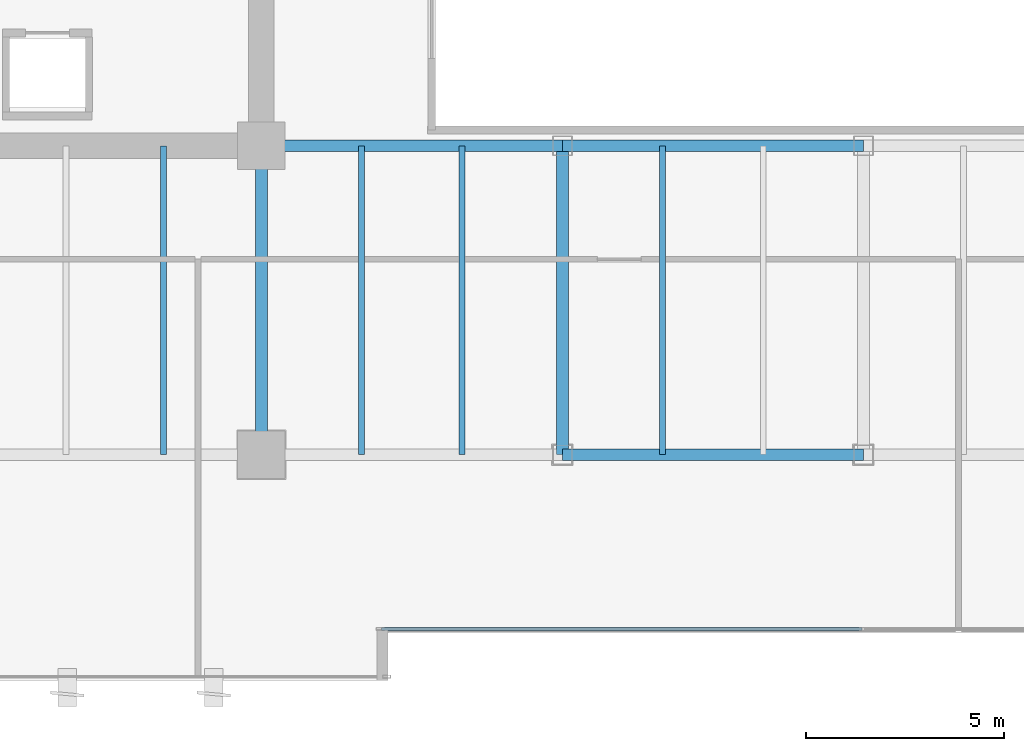
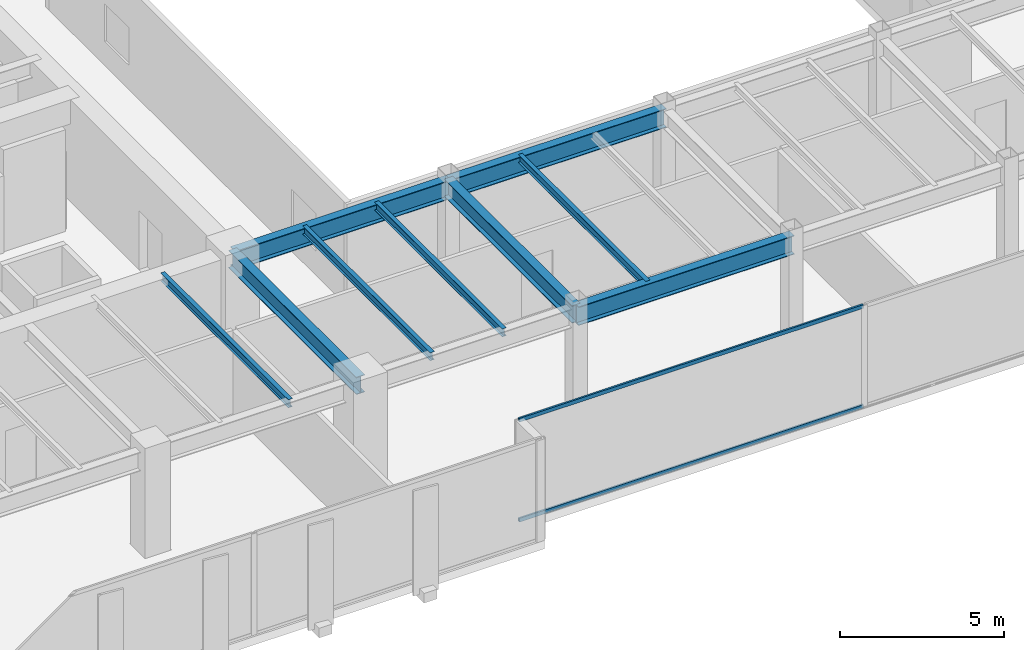
# One storey, part 5 of 34: 9 beams, 2 members, 1 element without a shape of its own.
"""IFC4 building model written with IfcOpenShell, lengths in metres."""

from ifc_helpers import new_model, si_unit, direction, frame, origin, origin_2d, place, context, subcontext, project, spatial, hollow_rectangle, i_section, extrude, source, transform, mapped, material, layer, layer_set, material_profile, profile_set, type_object, type_shapes, element, aggregate, save


model = new_model("IFC4")

# Units and contexts
model_context = context("Model", 3, precision=1e-05, world=origin(), true_north=direction((0.0, 1.0)))
body_context = subcontext(model_context, "Body", "Model", "MODEL_VIEW")
ifc_project = project(units=[si_unit("LENGTHUNIT", "METRE"), si_unit("AREAUNIT", "SQUARE_METRE"), si_unit("VOLUMEUNIT", "CUBIC_METRE"), si_unit("PLANEANGLEUNIT", "RADIAN"), si_unit("MASSUNIT", "GRAM", prefix="KILO")], contexts=[model_context])

# Site, building, storey
site_placement = place(None, origin())
site = spatial("IfcSite", under=ifc_project, at=site_placement, CompositionType="ELEMENT")
building_placement = place(site_placement, origin())
building = spatial("IfcBuilding", under=site, at=building_placement, Name="Haelvirn Gate Laboratories", CompositionType="ELEMENT")
storey_placement = place(building_placement, frame((0.0, 0.0, 109.199951171875)))
storey = spatial("IfcBuildingStorey", under=building, at=storey_placement, Name="L26", CompositionType="ELEMENT", Elevation=109.199951171875)

# Beams
ifc_material_1 = material(Name="Steel SM355", Category="steel")
ifc_material_profile_1 = material_profile(ifc_material_1, i_section(OverallWidth=0.300048828125, OverallDepth=0.64990234375, WebThickness=0.012939453125, FlangeThickness=0.02197265625, at=origin_2d()), Name="H-650x300x13x22")
ifc_profile_set_1 = profile_set([ifc_material_profile_1], Name="Steel SM355")
beam_type_1 = type_object("IfcBeamType", Name="BM-G-650", PredefinedType="BEAM", material=ifc_profile_set_1)
shared_shape_1 = source(origin(), body_context, "Body", "SweptSolid", [
    extrude(i_section(OverallWidth=0.300048828125, OverallDepth=0.64990234375, WebThickness=0.012939453125, FlangeThickness=0.02197265625, at=origin_2d()), origin(), (0.0, 0.0, 1.0), 7.800048828125),
])
type_shapes(beam_type_1, [shared_shape_1])
for number, where, z_axis, x_axis, name in (
    (1, (22.199951171875, 7.0, 3.465087890625), (0.0, 1.0, 0.0), (-1.0, 0.0, 0.0), "L26 Frame Girder X22.2 (7.0-14.8)"),
    (2, (29.800048828125, 7.0, 3.465087890625), (0.0, 1.0, 0.0), (-1.0, 0.0, 0.0), "L26 Frame Girder X29.8 (7.0-14.8)"),
):
    element("IfcBeam", number, at=place(storey_placement, frame(where, z_axis=z_axis, x_axis=x_axis)), inside=storey, type_object=beam_type_1, Name=name, PredefinedType="BEAM", context=body_context, shape_type="MappedRepresentation", body=[
        mapped(shared_shape_1, transform((0.0, 0.0, 0.0), scale=1.0)),
    ])
ifc_material_profile_2 = material_profile(ifc_material_1, i_section(OverallWidth=0.300048828125, OverallDepth=0.699951171875, WebThickness=0.012939453125, FlangeThickness=0.02392578125, at=origin_2d()), Name="H-700x300x13x24")
ifc_profile_set_2 = profile_set([ifc_material_profile_2], Name="Steel SM355")
beam_type_2 = type_object("IfcBeamType", Name="BM-G-700", PredefinedType="BEAM", material=ifc_profile_set_2)
shared_shape_2 = source(origin(), body_context, "Body", "SweptSolid", [
    extrude(i_section(OverallWidth=0.300048828125, OverallDepth=0.699951171875, WebThickness=0.012939453125, FlangeThickness=0.02392578125, at=origin_2d()), origin(), (0.0, 0.0, 1.0), 7.60009765625),
])
beam_placement = place(storey_placement, frame((22.199951171875, 14.800048828125, 3.43994140625), z_axis=(1.0, 0.0, 0.0), x_axis=(0.0, 1.0, 0.0)))
element("IfcBeam", 3, at=beam_placement, inside=storey, type_object=beam_type_2, Name="L26 Primary Girder Y14.8 (22.2-29.8)", PredefinedType="BEAM", context=body_context, shape_type="MappedRepresentation", body=[
    mapped(shared_shape_2, transform((0.0, 0.0, 0.0), scale=1.0)),
])
shared_shape_3 = source(origin(), body_context, "Body", "SweptSolid", [
    extrude(i_section(OverallWidth=0.300048828125, OverallDepth=0.699951171875, WebThickness=0.012939453125, FlangeThickness=0.02392578125, at=origin_2d()), origin(), (0.0, 0.0, 1.0), 7.599853515625),
])
type_shapes(beam_type_2, [shared_shape_2, shared_shape_3])
for number, where, z_axis, x_axis, name in (
    (4, (29.800048828125, 7.0, 3.43994140625), (1.0, 0.0, 0.0), (0.0, 1.0, 0.0), "L26 Primary Girder Y7.0 (29.8-37.4)"),
    (5, (29.800048828125, 14.800048828125, 3.43994140625), (1.0, 0.0, 0.0), (0.0, 1.0, 0.0), "L26 Primary Girder Y14.8 (29.8-37.4)"),
):
    element("IfcBeam", number, at=place(storey_placement, frame(where, z_axis=z_axis, x_axis=x_axis)), inside=storey, type_object=beam_type_2, Name=name, PredefinedType="BEAM", context=body_context, shape_type="MappedRepresentation", body=[
        mapped(shared_shape_3, transform((0.0, 0.0, 0.0), scale=1.0)),
    ])
ifc_material_profile_3 = material_profile(ifc_material_1, i_section(OverallWidth=0.14990234375, OverallDepth=0.300048828125, WebThickness=0.006591796875, FlangeThickness=0.009033203125, at=origin_2d()), Name="H-300x150x6.5x9")
ifc_profile_set_3 = profile_set([ifc_material_profile_3], Name="Steel SM355")
beam_type_3 = type_object("IfcBeamType", Name="BM-J-300", PredefinedType="JOIST", material=ifc_profile_set_3)
shared_shape_4 = source(origin(), body_context, "Body", "SweptSolid", [
    extrude(i_section(OverallWidth=0.14990234375, OverallDepth=0.300048828125, WebThickness=0.006591796875, FlangeThickness=0.009033203125, at=origin_2d()), origin(), (0.0, 0.0, 1.0), 7.800048828125),
])
type_shapes(beam_type_3, [shared_shape_4])
for number, where, z_axis, x_axis, name in (
    (6, (19.72998046875, 7.0, 3.64013671875), (0.0, 1.0, 0.0), (-1.0, 0.0, 0.0), "L26 Composite Lab Joist South X19.73"),
    (7, (24.72998046875, 7.0, 3.64013671875), (0.0, 1.0, 0.0), (-1.0, 0.0, 0.0), "L26 Composite Lab Joist South X24.73"),
    (8, (27.27001953125, 7.0, 3.64013671875), (0.0, 1.0, 0.0), (-1.0, 0.0, 0.0), "L26 Composite Lab Joist South X27.27"),
    (9, (32.330078125, 7.0, 3.64013671875), (0.0, 1.0, 0.0), (-1.0, 0.0, 0.0), "L26 Composite Lab Joist South X32.33"),
):
    element("IfcBeam", number, at=place(storey_placement, frame(where, z_axis=z_axis, x_axis=x_axis)), inside=storey, type_object=beam_type_3, Name=name, PredefinedType="JOIST", context=body_context, shape_type="MappedRepresentation", body=[
        mapped(shared_shape_4, transform((0.0, 0.0, 0.0), scale=1.0)),
    ])

# Curtain wall, members
ifc_material_2 = material(Name="Anodised bronze unitised aluminium & triple low-E glass", Category="aluminium")
ifc_layer = layer(ifc_material_2, 0.179931640625, Name="CW-SYS-3")
ifc_layer_set = layer_set([ifc_layer], Name="Anodised bronze unitised aluminium & triple low-E glass")
curtain_wall_type = type_object("IfcCurtainWallType", Name="CW-SYS-3", PredefinedType="NOTDEFINED", material=ifc_layer_set)
curtain_wall_placement = place(storey_placement, origin())
curtain_wall = element("IfcCurtainWall", 10, at=curtain_wall_placement, inside=storey, type_object=curtain_wall_type, Name="L26 Unitised Curtain Wall CW-L26-P0-E02-1", PredefinedType="NOTDEFINED")
ifc_material_3 = material(Name="Extruded aluminium 6063-T6 (anodised bronze)", Category="aluminium")
ifc_material_profile_4 = material_profile(ifc_material_3, hollow_rectangle(XDim=0.06494140625, YDim=0.139892578125, WallThickness=0.00390625, at=origin_2d()), Name="CWT-140x65x4")
ifc_profile_set_4 = profile_set([ifc_material_profile_4], Name="Extruded aluminium 6063-T6 (anodised bronze)")
member_type = type_object("IfcMemberType", Name="CWT-T140", PredefinedType="USERDEFINED", material=ifc_profile_set_4)
shared_shape_5 = source(origin(), body_context, "Body", "SweptSolid", [
    extrude(hollow_rectangle(XDim=0.06494140625, YDim=0.139892578125, WallThickness=0.00390625, at=origin_2d()), origin(), (0.0, 0.0, 1.0), 12.12744140625),
])
type_shapes(member_type, [shared_shape_5])
member_1_placement = place(storey_placement, frame((25.235107421875, 2.60009765625, 0.032470703125), z_axis=(1.0, 0.0, 0.0), x_axis=(0.0, 1.0, 0.0)))
member_1 = element("IfcMember", 11, at=member_1_placement, type_object=member_type, Name="CW3 transom 1.1", ObjectType="TRANSOM", PredefinedType="USERDEFINED", context=body_context, shape_type="MappedRepresentation", body=[
    mapped(shared_shape_5, transform((0.0, 0.0, 0.0), scale=1.0)),
])
member_2_placement = place(storey_placement, frame((25.235107421875, 2.60009765625, 3.757568359375), z_axis=(1.0, 0.0, 0.0), x_axis=(0.0, 1.0, 0.0)))
member_2 = element("IfcMember", 12, at=member_2_placement, type_object=member_type, Name="CW3 transom 1.2", ObjectType="TRANSOM", PredefinedType="USERDEFINED", context=body_context, shape_type="MappedRepresentation", body=[
    mapped(shared_shape_5, transform((0.0, 0.0, 0.0), scale=1.0)),
])
aggregate(curtain_wall, [member_1, member_2])

save(model, "model.ifc")
